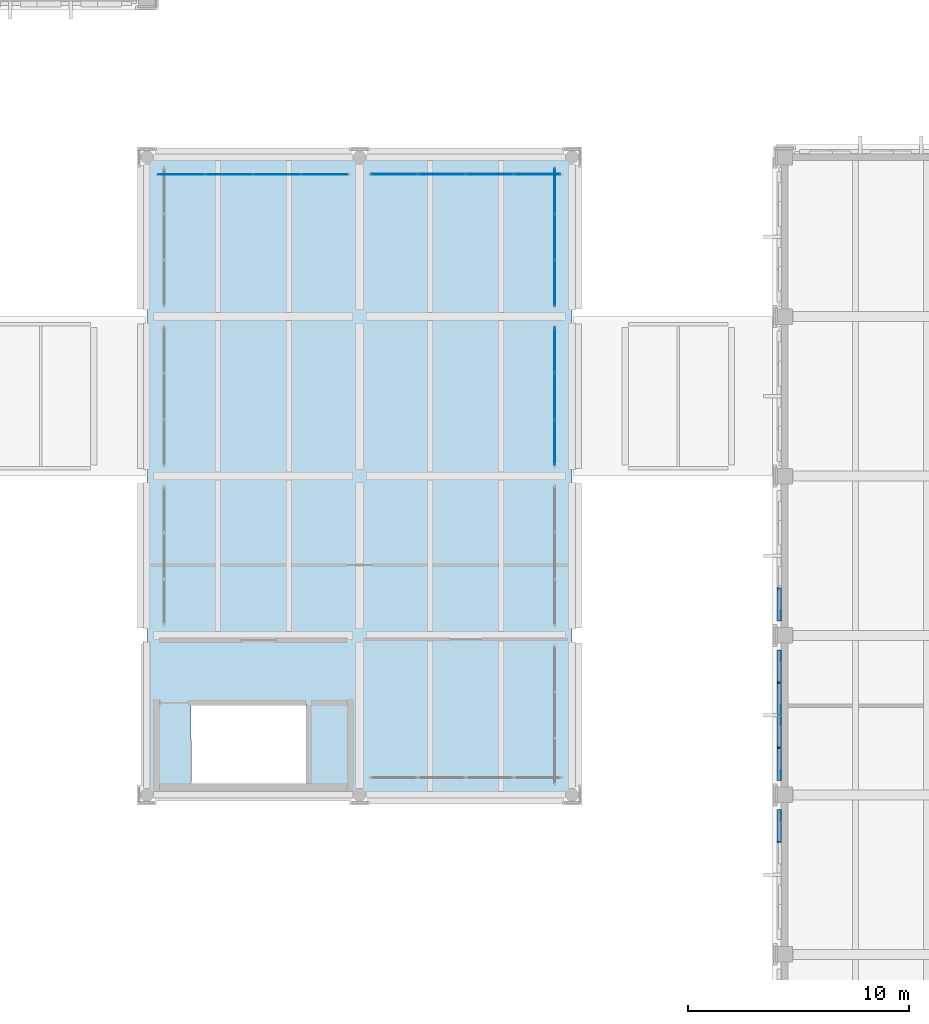
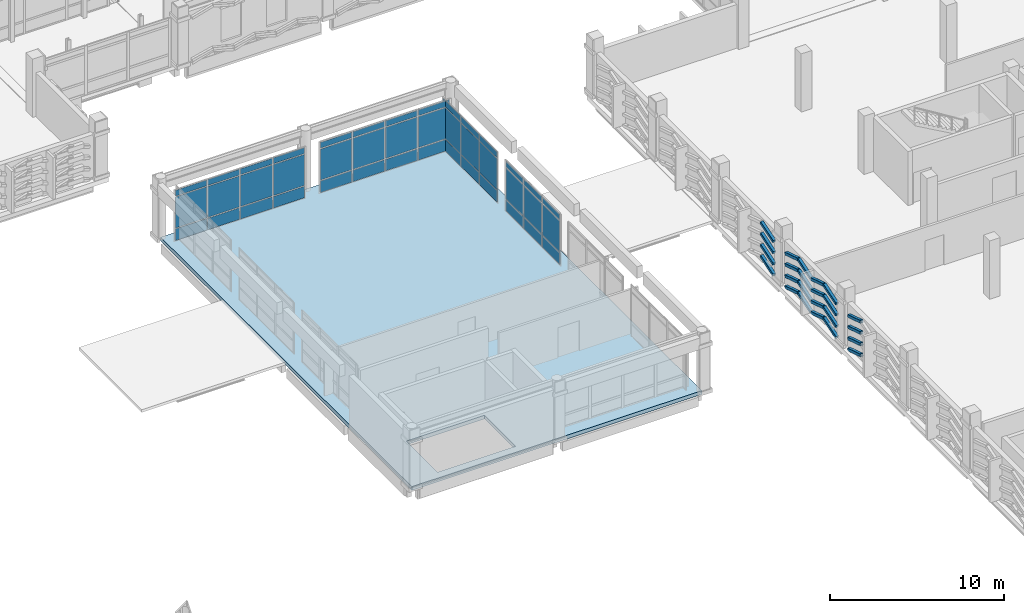
# One storey, part 127 of 180: 66 plates, 1 slab, 4 elements without a shape of their own.
"""IFC4 building model written with IfcOpenShell, lengths in metres."""

import ifcopenshell
import ifcopenshell.guid

model = None  # the IFC model being written
_history = None  # IfcOwnerHistory: only IFC2X3 demands one
_inside = {}  # id of a spatial element -> (the spatial element, [elements in it])
_under = {}  # id of a project, library or spatial element -> (it, [spatial elements below it])
_declared = {}  # id of a project -> (the project, [libraries it declares])
_typed = {}  # id of a type object -> (the type object, [elements of that type])
_made_of = {}  # id of a material, layer set ... -> (it, [elements and type objects made of it])


def new_model(schema):
    """Start an empty IFC model of exactly this schema.

    Asked for "IFC4X3", IfcOpenShell would pick the latest addendum, in which some entities
    have other attributes; the version numbers below select the first issue.
    IFC2X3 requires an IfcOwnerHistory on every rooted entity: one is made here for all.
    """
    global model, _history
    if schema == "IFC4X3":
        model = ifcopenshell.file(schema_version=(4, 3, 0, 0))
    else:
        model = ifcopenshell.file(schema=schema)
    _inside.clear()
    _under.clear()
    _declared.clear()
    _typed.clear()
    _made_of.clear()
    _history = None
    if model.schema == "IFC2X3":
        org = make("IfcOrganization", Name="unknown")
        user = make(
            "IfcPersonAndOrganization",
            ThePerson=make("IfcPerson", FamilyName="unknown"),
            TheOrganization=org,
        )
        app = make(
            "IfcApplication",
            ApplicationDeveloper=org,
            Version="unknown",
            ApplicationFullName="unknown",
            ApplicationIdentifier="unknown",
        )
        _history = make(
            "IfcOwnerHistory",
            OwningUser=user,
            OwningApplication=app,
            ChangeAction="ADDED",
            CreationDate=0,
        )
    return model


def make(cls, **values):
    """One entity of the class cls with the attributes given. An attribute that is None is left unset."""
    return model.create_entity(
        cls, **{name: value for name, value in values.items() if value is not None}
    )


def rooted(cls, **values):
    """An entity with a GlobalId (a new one), such as an element, a storey or a relation."""
    return make(cls, GlobalId=ifcopenshell.guid.new(), OwnerHistory=_history, **values)


def si_unit(unit_type, name, prefix=None):
    """IfcSIUnit, for example si_unit("LENGTHUNIT", "METRE", prefix="MILLI")."""
    return make("IfcSIUnit", UnitType=unit_type, Prefix=prefix, Name=name)


def assignment(units):
    """IfcUnitAssignment: the units of a project."""
    return None if units is None else make("IfcUnitAssignment", Units=units)


def point(xyz):
    """IfcCartesianPoint."""
    return None if xyz is None else make("IfcCartesianPoint", Coordinates=xyz)


def direction(xyz):
    """IfcDirection."""
    return None if xyz is None else make("IfcDirection", DirectionRatios=xyz)


def frame(location, z_axis=None, x_axis=None):
    """IfcAxis2Placement3D, a coordinate frame: its origin and axes. An axis left out is left unset."""
    return make(
        "IfcAxis2Placement3D",
        Location=point(location),
        Axis=direction(z_axis),
        RefDirection=direction(x_axis),
    )


def frame_2d(location, x_axis=None):
    """IfcAxis2Placement2D, a coordinate frame in the plane: its origin and x axis."""
    return make(
        "IfcAxis2Placement2D", Location=point(location), RefDirection=direction(x_axis)
    )


def origin():
    """The frame at (0, 0, 0) with its axes left unset."""
    return frame((0.0, 0.0, 0.0))


def origin_2d():
    """The frame at (0, 0) in the plane with its x axis left unset."""
    return frame_2d((0.0, 0.0))


def place(relative_to, where):
    """IfcLocalPlacement: puts the frame where relative to a parent placement (None: the world)."""
    return make(
        "IfcLocalPlacement", PlacementRelTo=relative_to, RelativePlacement=where
    )


def context(
    kind, dimensions, precision=None, world=None, true_north=None, identifier=None
):
    """IfcGeometricRepresentationContext, for example the 3D "Model" context."""
    return make(
        "IfcGeometricRepresentationContext",
        ContextIdentifier=identifier,
        ContextType=kind,
        CoordinateSpaceDimension=dimensions,
        Precision=precision,
        WorldCoordinateSystem=world,
        TrueNorth=true_north,
    )


def subcontext(parent, identifier, kind, view, scale=None):
    """IfcGeometricRepresentationSubContext, for example "Body" below "Model"."""
    return make(
        "IfcGeometricRepresentationSubContext",
        ContextIdentifier=identifier,
        ContextType=kind,
        ParentContext=parent,
        TargetScale=scale,
        TargetView=view,
    )


def project(units=None, contexts=None):
    """IfcProject with its units and contexts."""
    return rooted(
        "IfcProject",
        Name="project",
        RepresentationContexts=contexts,
        UnitsInContext=assignment(units),
    )


def spatial(cls, under=None, at=None, **own):
    """A site, building, storey or space (cls), placed at a placement, below another one or the project."""
    s = rooted(cls, ObjectPlacement=at, **own)
    if under is not None:
        _under.setdefault(under.id(), (under, []))[1].append(s)
    return s


def polyline(points):
    """IfcPolyline through the points."""
    return make("IfcPolyline", Points=[point(p) for p in points])


def profile(cls, at=None, kind="AREA", **sizes):
    """A parametric profile (cls). Its sizes go by their IFC names, for example OverallWidth=200.0."""
    return make(cls, ProfileType=kind, Position=at, **sizes)


def rectangle(**sizes):
    """IfcRectangleProfileDef."""
    return profile("IfcRectangleProfileDef", **sizes)


def hollow_rectangle(**sizes):
    """IfcRectangleHollowProfileDef."""
    return profile("IfcRectangleHollowProfileDef", **sizes)


def outline(outer, holes=None, kind="AREA"):
    """IfcArbitraryClosedProfileDef: a profile drawn as a closed curve; with holes, ...WithVoids."""
    if holes is None:
        return make("IfcArbitraryClosedProfileDef", ProfileType=kind, OuterCurve=outer)
    return make(
        "IfcArbitraryProfileDefWithVoids",
        ProfileType=kind,
        OuterCurve=outer,
        InnerCurves=holes,
    )


def extrude(swept, where, along, depth):
    """IfcExtrudedAreaSolid: the profile swept, set in the frame where, extruded along a direction by depth."""
    return make(
        "IfcExtrudedAreaSolid",
        SweptArea=swept,
        Position=where,
        ExtrudedDirection=direction(along),
        Depth=depth,
    )


def shape(context_of_items, identifier, shape_type, items):
    """IfcShapeRepresentation: the items that make up one representation, for example the "Body"."""
    return make(
        "IfcShapeRepresentation",
        ContextOfItems=context_of_items,
        RepresentationIdentifier=identifier,
        RepresentationType=shape_type,
        Items=items,
    )


def material(Name=None, Category=None):
    """IfcMaterial."""
    return make("IfcMaterial", Name=Name, Category=Category)


def layer(
    of_material, thickness, ventilated=None, Name=None, Category=None, Priority=None
):
    """IfcMaterialLayer: one layer of a wall or slab, of a material (None: an air gap)."""
    return make(
        "IfcMaterialLayer",
        Material=of_material,
        LayerThickness=thickness,
        IsVentilated=ventilated,
        Name=Name,
        Category=Category,
        Priority=Priority,
    )


def layer_set(layers, Name=None):
    """IfcMaterialLayerSet."""
    return make("IfcMaterialLayerSet", MaterialLayers=layers, LayerSetName=Name)


def material_profile(
    of_material, cross_section, Name=None, Category=None, Priority=None
):
    """IfcMaterialProfile: a cross section and its material."""
    return make(
        "IfcMaterialProfile",
        Name=Name,
        Material=of_material,
        Profile=cross_section,
        Priority=Priority,
        Category=Category,
    )


def profile_set(profiles, Name=None, composite=None):
    """IfcMaterialProfileSet."""
    return make(
        "IfcMaterialProfileSet",
        Name=Name,
        MaterialProfiles=profiles,
        CompositeProfile=composite,
    )


def made_of(thing, what):
    """Note that an element or type object is made of a material, layer set ...; save() writes the relation."""
    if what is not None:
        _made_of.setdefault(what.id(), (what, []))[1].append(thing)
    return thing


def type_object(cls, material=None, **own):
    """A type object (cls), such as IfcWallType, which elements share."""
    return made_of(rooted(cls, **own), material)


def element(
    cls,
    number,
    at=None,
    inside=None,
    cuts=None,
    type_object=None,
    material=None,
    context=None,
    identifier="Body",
    shape_type=None,
    held_by="IfcProductDefinitionShape",
    body=None,
    shapes=None,
    **own,
):
    """One element of the class cls, such as IfcWall. Its Tag is "e" and its number.

    at: its placement. inside: the storey or other place that contains it. cuts: it is an
    opening in that element (IfcRelVoidsElement). A single representation is given by context,
    identifier, shape_type and body (its items); several are given by shapes. held_by: the class
    of the entity that holds the representations. save() writes the other relations.
    """
    e = rooted(cls, Tag="e%d" % number, ObjectPlacement=at, **own)
    if body is not None:
        shapes = [shape(context, identifier, shape_type, body)]
    if shapes is not None:
        e.Representation = make(held_by, Representations=shapes)
    if inside is not None:
        _inside.setdefault(inside.id(), (inside, []))[1].append(e)
    if cuts is not None:
        rooted(
            "IfcRelVoidsElement", RelatingBuildingElement=cuts, RelatedOpeningElement=e
        )
    if type_object is not None:
        _typed.setdefault(type_object.id(), (type_object, []))[1].append(e)
    return made_of(e, material)


def aggregate(whole, parts):
    """IfcRelAggregates: a whole, such as a stair, and the parts it consists of."""
    return rooted("IfcRelAggregates", RelatingObject=whole, RelatedObjects=parts)


def save(model, path):
    """Write the relations noted so far, then the file.

    IfcRelAggregates (storeys below a building ...), IfcRelContainedInSpatialStructure (elements
    in a storey), IfcRelDefinesByType, IfcRelAssociatesMaterial and IfcRelDeclares: one each for
    every whole, place, type object, material and project.
    """
    for whole, parts in _under.values():
        aggregate(whole, parts)
    for where, things in _inside.values():
        rooted(
            "IfcRelContainedInSpatialStructure",
            RelatedElements=things,
            RelatingStructure=where,
        )
    for kind, things in _typed.values():
        rooted("IfcRelDefinesByType", RelatedObjects=things, RelatingType=kind)
    for what, things in _made_of.values():
        rooted("IfcRelAssociatesMaterial", RelatedObjects=things, RelatingMaterial=what)
    for by, libraries in _declared.values():
        rooted("IfcRelDeclares", RelatingContext=by, RelatedDefinitions=libraries)
    model.write(path)


model = new_model("IFC4")

# Units and contexts
model_context = context("Model", 3, precision=1e-05, world=origin(), true_north=direction((0.0, 1.0)))
body_context = subcontext(model_context, "Body", "Model", "MODEL_VIEW")
ifc_project = project(units=[si_unit("LENGTHUNIT", "METRE"), si_unit("AREAUNIT", "SQUARE_METRE"), si_unit("VOLUMEUNIT", "CUBIC_METRE"), si_unit("PLANEANGLEUNIT", "RADIAN"), si_unit("MASSUNIT", "GRAM", prefix="KILO")], contexts=[model_context])

# Site, building, storey
site_placement = place(None, origin())
site = spatial("IfcSite", under=ifc_project, at=site_placement, CompositionType="ELEMENT")
building_placement = place(site_placement, origin())
building = spatial("IfcBuilding", under=site, at=building_placement, Name="Asteropetra Specialist Clinic", CompositionType="ELEMENT")
storey_placement = place(building_placement, frame((0.0, 0.0, 4.419921875)))
storey = spatial("IfcBuildingStorey", under=building, at=storey_placement, Name="L01", CompositionType="ELEMENT", Elevation=4.419921875)

# Plates
ifc_material_1 = material(Name="Chevron emerald aluminium 6063-T6", Category="aluminium")
ifc_material_profile = material_profile(ifc_material_1, hollow_rectangle(XDim=0.199951171875, YDim=0.199951171875, WallThickness=0.010009765625, InnerFilletRadius=0.008056640625, OuterFilletRadius=0.01611328125, at=origin_2d()), Name="SHS 200x200x10.0")
ifc_profile_set = profile_set([ifc_material_profile], Name="Chevron emerald aluminium 6063-T6")
plate_type_1 = type_object("IfcPlateType", Name="CHV-RIB-200", PredefinedType="SHEET", material=ifc_profile_set)
for number, where, z_axis, x_axis, name in (
    (1, (105.3505859375, 32.909912109375, 0.050048828125), (0.0, -0.952506339897, 0.304518755506), (1.0, 0.0, 0.0), "Chevron Facade Screen Fin CVR-2304"),
    (2, (105.3505859375, 32.909912109375, 0.820068359375), (0.0, -0.952506339897, 0.304518755506), (1.0, 0.0, 0.0), "Chevron Facade Screen Fin CVR-2306"),
    (3, (105.3505859375, 32.909912109375, 1.6201171875), (0.0, -0.952506339897, 0.304518755506), (1.0, 0.0, 0.0), "Chevron Facade Screen Fin CVR-2308"),
    (4, (105.3505859375, 32.909912109375, 2.400146484375), (0.0, -0.952506339897, 0.304518755506), (1.0, 0.0, 0.0), "Chevron Facade Screen Fin CVR-2310"),
):
    element("IfcPlate", number, at=place(storey_placement, frame(where, z_axis=z_axis, x_axis=x_axis)), inside=storey, type_object=plate_type_1, Name=name, PredefinedType="SHEET", context=body_context, shape_type="SweptSolid", body=[
        extrude(hollow_rectangle(XDim=0.199951171875, YDim=0.199951171875, WallThickness=0.010009765625, InnerFilletRadius=0.008056640625, OuterFilletRadius=0.01611328125, at=origin_2d()), origin(), (0.0, 0.0, 1.0), 1.516845703125),
    ])
for number, where, z_axis, x_axis, name in (
    (5, (105.3505859375, 40.110107421875, 0.050048828125), (0.0, -0.952521261695, 0.304472077568), (1.0, 0.0, 0.0), "Chevron Facade Screen Fin CVR-2336"),
    (6, (105.3505859375, 38.6650390625, 0.511962890625), (0.0, -0.952521261695, -0.304472077568), (1.0, 0.0, 0.0), "Chevron Facade Screen Fin CVR-2337"),
    (7, (105.3505859375, 40.110107421875, 0.820068359375), (0.0, -0.952521261695, 0.304472077568), (1.0, 0.0, 0.0), "Chevron Facade Screen Fin CVR-2338"),
    (8, (105.3505859375, 38.6650390625, 1.281982421875), (0.0, -0.952521261695, -0.304472077568), (1.0, 0.0, 0.0), "Chevron Facade Screen Fin CVR-2339"),
    (9, (105.3505859375, 40.110107421875, 1.6201171875), (0.0, -0.952521261695, 0.304472077568), (1.0, 0.0, 0.0), "Chevron Facade Screen Fin CVR-2340"),
    (10, (105.3505859375, 38.6650390625, 2.08203125), (0.0, -0.952521261695, -0.304472077568), (1.0, 0.0, 0.0), "Chevron Facade Screen Fin CVR-2341"),
    (11, (105.3505859375, 40.110107421875, 2.400146484375), (0.0, -0.952521261695, 0.304472077568), (1.0, 0.0, 0.0), "Chevron Facade Screen Fin CVR-2342"),
    (12, (105.3505859375, 38.6650390625, 2.862060546875), (0.0, -0.952521261695, -0.304472077568), (1.0, 0.0, 0.0), "Chevron Facade Screen Fin CVR-2343"),
):
    element("IfcPlate", number, at=place(storey_placement, frame(where, z_axis=z_axis, x_axis=x_axis)), inside=storey, type_object=plate_type_1, Name=name, PredefinedType="SHEET", context=body_context, shape_type="SweptSolid", body=[
        extrude(hollow_rectangle(XDim=0.199951171875, YDim=0.199951171875, WallThickness=0.010009765625, InnerFilletRadius=0.008056640625, OuterFilletRadius=0.01611328125, at=origin_2d()), origin(), (0.0, 0.0, 1.0), 1.51708984375),
    ])
plate_1_placement = place(storey_placement, frame((105.3505859375, 37.179931640625, 0.050048828125), z_axis=(0.0, -0.952506339897, 0.304518755506), x_axis=(1.0, 0.0, 0.0)))
element("IfcPlate", 13, at=plate_1_placement, inside=storey, type_object=plate_type_1, Name="Chevron Facade Screen Fin CVR-2344", PredefinedType="SHEET", context=body_context, shape_type="SweptSolid", body=[
    extrude(hollow_rectangle(XDim=0.199951171875, YDim=0.199951171875, WallThickness=0.010009765625, InnerFilletRadius=0.008056640625, OuterFilletRadius=0.01611328125, at=origin_2d()), origin(), (0.0, 0.0, 1.0), 1.516845703125),
])
plate_2_placement = place(storey_placement, frame((105.3505859375, 35.735107421875, 0.511962890625), z_axis=(0.0, -0.952521261695, -0.304472077568), x_axis=(1.0, 0.0, 0.0)))
element("IfcPlate", 14, at=plate_2_placement, inside=storey, type_object=plate_type_1, Name="Chevron Facade Screen Fin CVR-2345", PredefinedType="SHEET", context=body_context, shape_type="SweptSolid", body=[
    extrude(hollow_rectangle(XDim=0.199951171875, YDim=0.199951171875, WallThickness=0.010009765625, InnerFilletRadius=0.008056640625, OuterFilletRadius=0.01611328125, at=origin_2d()), origin(), (0.0, 0.0, 1.0), 1.51708984375),
])
plate_3_placement = place(storey_placement, frame((105.3505859375, 37.179931640625, 0.820068359375), z_axis=(0.0, -0.952506339897, 0.304518755506), x_axis=(1.0, 0.0, 0.0)))
element("IfcPlate", 15, at=plate_3_placement, inside=storey, type_object=plate_type_1, Name="Chevron Facade Screen Fin CVR-2346", PredefinedType="SHEET", context=body_context, shape_type="SweptSolid", body=[
    extrude(hollow_rectangle(XDim=0.199951171875, YDim=0.199951171875, WallThickness=0.010009765625, InnerFilletRadius=0.008056640625, OuterFilletRadius=0.01611328125, at=origin_2d()), origin(), (0.0, 0.0, 1.0), 1.516845703125),
])
plate_4_placement = place(storey_placement, frame((105.3505859375, 35.735107421875, 1.281982421875), z_axis=(0.0, -0.952521261695, -0.304472077568), x_axis=(1.0, 0.0, 0.0)))
element("IfcPlate", 16, at=plate_4_placement, inside=storey, type_object=plate_type_1, Name="Chevron Facade Screen Fin CVR-2347", PredefinedType="SHEET", context=body_context, shape_type="SweptSolid", body=[
    extrude(hollow_rectangle(XDim=0.199951171875, YDim=0.199951171875, WallThickness=0.010009765625, InnerFilletRadius=0.008056640625, OuterFilletRadius=0.01611328125, at=origin_2d()), origin(), (0.0, 0.0, 1.0), 1.51708984375),
])
plate_5_placement = place(storey_placement, frame((105.3505859375, 37.179931640625, 1.6201171875), z_axis=(0.0, -0.952506339897, 0.304518755506), x_axis=(1.0, 0.0, 0.0)))
element("IfcPlate", 17, at=plate_5_placement, inside=storey, type_object=plate_type_1, Name="Chevron Facade Screen Fin CVR-2348", PredefinedType="SHEET", context=body_context, shape_type="SweptSolid", body=[
    extrude(hollow_rectangle(XDim=0.199951171875, YDim=0.199951171875, WallThickness=0.010009765625, InnerFilletRadius=0.008056640625, OuterFilletRadius=0.01611328125, at=origin_2d()), origin(), (0.0, 0.0, 1.0), 1.516845703125),
])
plate_6_placement = place(storey_placement, frame((105.3505859375, 35.735107421875, 2.08203125), z_axis=(0.0, -0.952521261695, -0.304472077568), x_axis=(1.0, 0.0, 0.0)))
element("IfcPlate", 18, at=plate_6_placement, inside=storey, type_object=plate_type_1, Name="Chevron Facade Screen Fin CVR-2349", PredefinedType="SHEET", context=body_context, shape_type="SweptSolid", body=[
    extrude(hollow_rectangle(XDim=0.199951171875, YDim=0.199951171875, WallThickness=0.010009765625, InnerFilletRadius=0.008056640625, OuterFilletRadius=0.01611328125, at=origin_2d()), origin(), (0.0, 0.0, 1.0), 1.51708984375),
])
plate_7_placement = place(storey_placement, frame((105.3505859375, 37.179931640625, 2.400146484375), z_axis=(0.0, -0.952506339897, 0.304518755506), x_axis=(1.0, 0.0, 0.0)))
element("IfcPlate", 19, at=plate_7_placement, inside=storey, type_object=plate_type_1, Name="Chevron Facade Screen Fin CVR-2350", PredefinedType="SHEET", context=body_context, shape_type="SweptSolid", body=[
    extrude(hollow_rectangle(XDim=0.199951171875, YDim=0.199951171875, WallThickness=0.010009765625, InnerFilletRadius=0.008056640625, OuterFilletRadius=0.01611328125, at=origin_2d()), origin(), (0.0, 0.0, 1.0), 1.516845703125),
])
for number, where, z_axis, x_axis, name in (
    (20, (105.3505859375, 35.735107421875, 2.862060546875), (0.0, -0.952521261695, -0.304472077568), (1.0, 0.0, 0.0), "Chevron Facade Screen Fin CVR-2351"),
    (21, (105.3505859375, 42.93505859375, 0.511962890625), (0.0, -0.952521261695, -0.304472077568), (1.0, 0.0, 0.0), "Chevron Facade Screen Fin CVR-2377"),
    (22, (105.3505859375, 42.93505859375, 1.281982421875), (0.0, -0.952521261695, -0.304472077568), (1.0, 0.0, 0.0), "Chevron Facade Screen Fin CVR-2379"),
    (23, (105.3505859375, 42.93505859375, 2.08203125), (0.0, -0.952521261695, -0.304472077568), (1.0, 0.0, 0.0), "Chevron Facade Screen Fin CVR-2381"),
    (24, (105.3505859375, 42.93505859375, 2.862060546875), (0.0, -0.952521261695, -0.304472077568), (1.0, 0.0, 0.0), "Chevron Facade Screen Fin CVR-2383"),
):
    element("IfcPlate", number, at=place(storey_placement, frame(where, z_axis=z_axis, x_axis=x_axis)), inside=storey, type_object=plate_type_1, Name=name, PredefinedType="SHEET", context=body_context, shape_type="SweptSolid", body=[
        extrude(hollow_rectangle(XDim=0.199951171875, YDim=0.199951171875, WallThickness=0.010009765625, InnerFilletRadius=0.008056640625, OuterFilletRadius=0.01611328125, at=origin_2d()), origin(), (0.0, 0.0, 1.0), 1.51708984375),
    ])

# Curtain wall, plates
ifc_material_2 = material(Name="Aluminium and low-E glass", Category="aluminium")
ifc_layer_1 = layer(ifc_material_2, 0.179931640625)
ifc_layer_set_1 = layer_set([ifc_layer_1], Name="Aluminium and low-E glass")
curtain_wall_type_1 = type_object("IfcCurtainWallType", Name="CW-SYS-10", PredefinedType="USERDEFINED", material=ifc_layer_set_1)
curtain_wall_1_placement = place(storey_placement, origin())
curtain_wall_1 = element("IfcCurtainWall", 25, at=curtain_wall_1_placement, inside=storey, type_object=curtain_wall_type_1, Name="Curtain Wall CW-180", ObjectType="STICK GLAZED COLONNADE", PredefinedType="USERDEFINED")
ifc_material_3 = material(Name="Low-E double glazing", Category="glass")
ifc_layer_2 = layer(ifc_material_3, 0.028076171875)
ifc_layer_set_2 = layer_set([ifc_layer_2], Name="Low-E double glazing")
plate_type_2 = type_object("IfcPlateType", Name="CWP-GLZ-28", PredefinedType="CURTAIN_PANEL", material=ifc_layer_set_2)
plate_8_placement = place(storey_placement, frame((95.219970703125, 49.511962890625, 0.074951171875), z_axis=(0.0, 0.0, 1.0), x_axis=(0.0, 1.0, 0.0)))
plate_8 = element("IfcPlate", 26, at=plate_8_placement, type_object=plate_type_2, Name="CW-180 panel 1.1", PredefinedType="CURTAIN_PANEL", context=body_context, shape_type="SweptSolid", body=[
    extrude(rectangle(XDim=1.994140625, YDim=0.028076171875, at=origin_2d()), origin(), (0.0, 0.0, 1.0), 0.78759765625),
])
plate_9_placement = place(storey_placement, frame((95.219970703125, 49.511962890625, 0.9375), z_axis=(0.0, 0.0, 1.0), x_axis=(0.0, 1.0, 0.0)))
plate_9 = element("IfcPlate", 27, at=plate_9_placement, type_object=plate_type_2, Name="CW-180 panel 1.2", PredefinedType="CURTAIN_PANEL", context=body_context, shape_type="SweptSolid", body=[
    extrude(rectangle(XDim=1.994140625, YDim=0.028076171875, at=origin_2d()), origin(), (0.0, 0.0, 1.0), 2.155029296875),
])
plate_10_placement = place(storey_placement, frame((95.219970703125, 49.511962890625, 3.16748046875), z_axis=(0.0, 0.0, 1.0), x_axis=(0.0, 1.0, 0.0)))
plate_10 = element("IfcPlate", 28, at=plate_10_placement, type_object=plate_type_2, Name="CW-180 panel 1.3", PredefinedType="CURTAIN_PANEL", context=body_context, shape_type="SweptSolid", body=[
    extrude(rectangle(XDim=1.994140625, YDim=0.028076171875, at=origin_2d()), origin(), (0.0, 0.0, 1.0), 0.387451171875),
])
plate_11_placement = place(storey_placement, frame((95.219970703125, 51.60009765625, 0.074951171875), z_axis=(0.0, 0.0, 1.0), x_axis=(0.0, 1.0, 0.0)))
plate_11 = element("IfcPlate", 29, at=plate_11_placement, type_object=plate_type_2, Name="CW-180 panel 2.1", PredefinedType="CURTAIN_PANEL", context=body_context, shape_type="SweptSolid", body=[
    extrude(rectangle(XDim=2.03173828125, YDim=0.028076171875, at=origin_2d()), origin(), (0.0, 0.0, 1.0), 0.78759765625),
])
plate_12_placement = place(storey_placement, frame((95.219970703125, 51.60009765625, 0.9375), z_axis=(0.0, 0.0, 1.0), x_axis=(0.0, 1.0, 0.0)))
plate_12 = element("IfcPlate", 30, at=plate_12_placement, type_object=plate_type_2, Name="CW-180 panel 2.2", PredefinedType="CURTAIN_PANEL", context=body_context, shape_type="SweptSolid", body=[
    extrude(rectangle(XDim=2.03173828125, YDim=0.028076171875, at=origin_2d()), origin(), (0.0, 0.0, 1.0), 2.155029296875),
])
plate_13_placement = place(storey_placement, frame((95.219970703125, 51.60009765625, 3.16748046875), z_axis=(0.0, 0.0, 1.0), x_axis=(0.0, 1.0, 0.0)))
plate_13 = element("IfcPlate", 31, at=plate_13_placement, type_object=plate_type_2, Name="CW-180 panel 2.3", PredefinedType="CURTAIN_PANEL", context=body_context, shape_type="SweptSolid", body=[
    extrude(rectangle(XDim=2.03173828125, YDim=0.028076171875, at=origin_2d()), origin(), (0.0, 0.0, 1.0), 0.387451171875),
])
plate_14_placement = place(storey_placement, frame((95.219970703125, 53.68798828125, 0.074951171875), z_axis=(0.0, 0.0, 1.0), x_axis=(0.0, 1.0, 0.0)))
plate_14 = element("IfcPlate", 32, at=plate_14_placement, type_object=plate_type_2, Name="CW-180 panel 3.1", PredefinedType="CURTAIN_PANEL", context=body_context, shape_type="SweptSolid", body=[
    extrude(rectangle(XDim=1.994140625, YDim=0.028076171875, at=origin_2d()), origin(), (0.0, 0.0, 1.0), 0.78759765625),
])
plate_15_placement = place(storey_placement, frame((95.219970703125, 53.68798828125, 0.9375), z_axis=(0.0, 0.0, 1.0), x_axis=(0.0, 1.0, 0.0)))
plate_15 = element("IfcPlate", 33, at=plate_15_placement, type_object=plate_type_2, Name="CW-180 panel 3.2", PredefinedType="CURTAIN_PANEL", context=body_context, shape_type="SweptSolid", body=[
    extrude(rectangle(XDim=1.994140625, YDim=0.028076171875, at=origin_2d()), origin(), (0.0, 0.0, 1.0), 2.155029296875),
])
plate_16_placement = place(storey_placement, frame((95.219970703125, 53.68798828125, 3.16748046875), z_axis=(0.0, 0.0, 1.0), x_axis=(0.0, 1.0, 0.0)))
plate_16 = element("IfcPlate", 34, at=plate_16_placement, type_object=plate_type_2, Name="CW-180 panel 3.3", PredefinedType="CURTAIN_PANEL", context=body_context, shape_type="SweptSolid", body=[
    extrude(rectangle(XDim=1.994140625, YDim=0.028076171875, at=origin_2d()), origin(), (0.0, 0.0, 1.0), 0.387451171875),
])
aggregate(curtain_wall_1, [plate_8, plate_9, plate_10, plate_11, plate_12, plate_13, plate_14, plate_15, plate_16])

ifc_material_4 = material(Name="Aluminium and low-E glass", Category="aluminium")
ifc_layer_3 = layer(ifc_material_4, 0.135009765625)
ifc_layer_set_3 = layer_set([ifc_layer_3], Name="Aluminium and low-E glass")
curtain_wall_type_2 = type_object("IfcCurtainWallType", Name="CW-SYS-09", PredefinedType="USERDEFINED", material=ifc_layer_set_3)
curtain_wall_2_placement = place(storey_placement, origin())
curtain_wall_2 = element("IfcCurtainWall", 35, at=curtain_wall_2_placement, inside=storey, type_object=curtain_wall_type_2, Name="Curtain Wall CW-173", ObjectType="STICK GLAZED COLONNADE", PredefinedType="USERDEFINED")
ifc_material_5 = material(Name="Low-E acoustic double glazing", Category="glass")
ifc_layer_4 = layer(ifc_material_5, 0.031982421875)
ifc_layer_set_4 = layer_set([ifc_layer_4], Name="Low-E acoustic double glazing")
plate_type_3 = type_object("IfcPlateType", Name="CWP-GLZ-32", PredefinedType="CURTAIN_PANEL", material=ifc_layer_set_4)
plate_17_placement = place(storey_placement, frame((84.840087890625, 61.6201171875, 0.06005859375), z_axis=(0.0, 0.0, 1.0), x_axis=(-1.0, 0.0, 0.0)))
plate_17 = element("IfcPlate", 36, at=plate_17_placement, type_object=plate_type_3, Name="CW-173 panel 1.1", PredefinedType="CURTAIN_PANEL", context=body_context, shape_type="SweptSolid", body=[
    extrude(rectangle(XDim=2.080078125, YDim=0.031982421875, at=origin_2d()), origin(), (0.0, 0.0, 1.0), 0.81005859375),
])
plate_18_placement = place(storey_placement, frame((84.840087890625, 61.6201171875, 0.93017578125), z_axis=(0.0, 0.0, 1.0), x_axis=(-1.0, 0.0, 0.0)))
plate_18 = element("IfcPlate", 37, at=plate_18_placement, type_object=plate_type_3, Name="CW-173 panel 1.2", PredefinedType="CURTAIN_PANEL", context=body_context, shape_type="SweptSolid", body=[
    extrude(rectangle(XDim=2.080078125, YDim=0.031982421875, at=origin_2d()), origin(), (0.0, 0.0, 1.0), 2.169921875),
])
plate_19_placement = place(storey_placement, frame((84.840087890625, 61.6201171875, 3.16015625), z_axis=(0.0, 0.0, 1.0), x_axis=(-1.0, 0.0, 0.0)))
plate_19 = element("IfcPlate", 38, at=plate_19_placement, type_object=plate_type_3, Name="CW-173 panel 1.3", PredefinedType="CURTAIN_PANEL", context=body_context, shape_type="SweptSolid", body=[
    extrude(rectangle(XDim=2.080078125, YDim=0.031982421875, at=origin_2d()), origin(), (0.0, 0.0, 1.0), 0.409912109375),
])
plate_20_placement = place(storey_placement, frame((82.68505859375, 61.6201171875, 0.06005859375), z_axis=(0.0, 0.0, 1.0), x_axis=(-1.0, 0.0, 0.0)))
plate_20 = element("IfcPlate", 39, at=plate_20_placement, type_object=plate_type_3, Name="CW-173 panel 2.1", PredefinedType="CURTAIN_PANEL", context=body_context, shape_type="SweptSolid", body=[
    extrude(rectangle(XDim=2.110107421875, YDim=0.031982421875, at=origin_2d()), origin(), (0.0, 0.0, 1.0), 0.81005859375),
])
plate_21_placement = place(storey_placement, frame((82.68505859375, 61.6201171875, 0.93017578125), z_axis=(0.0, 0.0, 1.0), x_axis=(-1.0, 0.0, 0.0)))
plate_21 = element("IfcPlate", 40, at=plate_21_placement, type_object=plate_type_3, Name="CW-173 panel 2.2", PredefinedType="CURTAIN_PANEL", context=body_context, shape_type="SweptSolid", body=[
    extrude(rectangle(XDim=2.110107421875, YDim=0.031982421875, at=origin_2d()), origin(), (0.0, 0.0, 1.0), 2.169921875),
])
plate_22_placement = place(storey_placement, frame((82.68505859375, 61.6201171875, 3.16015625), z_axis=(0.0, 0.0, 1.0), x_axis=(-1.0, 0.0, 0.0)))
plate_22 = element("IfcPlate", 41, at=plate_22_placement, type_object=plate_type_3, Name="CW-173 panel 2.3", PredefinedType="CURTAIN_PANEL", context=body_context, shape_type="SweptSolid", body=[
    extrude(rectangle(XDim=2.110107421875, YDim=0.031982421875, at=origin_2d()), origin(), (0.0, 0.0, 1.0), 0.409912109375),
])
plate_23_placement = place(storey_placement, frame((80.514892578125, 61.6201171875, 0.06005859375), z_axis=(0.0, 0.0, 1.0), x_axis=(-1.0, 0.0, 0.0)))
plate_23 = element("IfcPlate", 42, at=plate_23_placement, type_object=plate_type_3, Name="CW-173 panel 3.1", PredefinedType="CURTAIN_PANEL", context=body_context, shape_type="SweptSolid", body=[
    extrude(rectangle(XDim=2.110107421875, YDim=0.031982421875, at=origin_2d()), origin(), (0.0, 0.0, 1.0), 0.81005859375),
])
plate_24_placement = place(storey_placement, frame((80.514892578125, 61.6201171875, 0.93017578125), z_axis=(0.0, 0.0, 1.0), x_axis=(-1.0, 0.0, 0.0)))
plate_24 = element("IfcPlate", 43, at=plate_24_placement, type_object=plate_type_3, Name="CW-173 panel 3.2", PredefinedType="CURTAIN_PANEL", context=body_context, shape_type="SweptSolid", body=[
    extrude(rectangle(XDim=2.110107421875, YDim=0.031982421875, at=origin_2d()), origin(), (0.0, 0.0, 1.0), 2.169921875),
])
plate_25_placement = place(storey_placement, frame((80.514892578125, 61.6201171875, 3.16015625), z_axis=(0.0, 0.0, 1.0), x_axis=(-1.0, 0.0, 0.0)))
plate_25 = element("IfcPlate", 44, at=plate_25_placement, type_object=plate_type_3, Name="CW-173 panel 3.3", PredefinedType="CURTAIN_PANEL", context=body_context, shape_type="SweptSolid", body=[
    extrude(rectangle(XDim=2.110107421875, YDim=0.031982421875, at=origin_2d()), origin(), (0.0, 0.0, 1.0), 0.409912109375),
])
plate_26_placement = place(storey_placement, frame((78.360107421875, 61.6201171875, 0.06005859375), z_axis=(0.0, 0.0, 1.0), x_axis=(-1.0, 0.0, 0.0)))
plate_26 = element("IfcPlate", 45, at=plate_26_placement, type_object=plate_type_3, Name="CW-173 panel 4.1", PredefinedType="CURTAIN_PANEL", context=body_context, shape_type="SweptSolid", body=[
    extrude(rectangle(XDim=2.080078125, YDim=0.031982421875, at=origin_2d()), origin(), (0.0, 0.0, 1.0), 0.81005859375),
])
plate_27_placement = place(storey_placement, frame((78.360107421875, 61.6201171875, 0.93017578125), z_axis=(0.0, 0.0, 1.0), x_axis=(-1.0, 0.0, 0.0)))
plate_27 = element("IfcPlate", 46, at=plate_27_placement, type_object=plate_type_3, Name="CW-173 panel 4.2", PredefinedType="CURTAIN_PANEL", context=body_context, shape_type="SweptSolid", body=[
    extrude(rectangle(XDim=2.080078125, YDim=0.031982421875, at=origin_2d()), origin(), (0.0, 0.0, 1.0), 2.169921875),
])
plate_28_placement = place(storey_placement, frame((78.360107421875, 61.6201171875, 3.16015625), z_axis=(0.0, 0.0, 1.0), x_axis=(-1.0, 0.0, 0.0)))
plate_28 = element("IfcPlate", 47, at=plate_28_placement, type_object=plate_type_3, Name="CW-173 panel 4.3", PredefinedType="CURTAIN_PANEL", context=body_context, shape_type="SweptSolid", body=[
    extrude(rectangle(XDim=2.080078125, YDim=0.031982421875, at=origin_2d()), origin(), (0.0, 0.0, 1.0), 0.409912109375),
])
aggregate(curtain_wall_2, [plate_17, plate_18, plate_19, plate_20, plate_21, plate_22, plate_23, plate_24, plate_25, plate_26, plate_27, plate_28])

ifc_material_6 = material(Name="Aluminium and low-E glass", Category="aluminium")
ifc_layer_5 = layer(ifc_material_6, 0.179931640625)
ifc_layer_set_5 = layer_set([ifc_layer_5], Name="Aluminium and low-E glass")
curtain_wall_type_3 = type_object("IfcCurtainWallType", Name="CW-SYS-01", PredefinedType="USERDEFINED", material=ifc_layer_set_5)
curtain_wall_3_placement = place(storey_placement, origin())
curtain_wall_3 = element("IfcCurtainWall", 48, at=curtain_wall_3_placement, inside=storey, type_object=curtain_wall_type_3, Name="Curtain Wall CW-182", ObjectType="UNITISED CURTAIN WALL", PredefinedType="USERDEFINED")
ifc_material_7 = material(Name="Solar-control triple glazing", Category="glass")
ifc_layer_6 = layer(ifc_material_7, 0.035888671875)
ifc_layer_set_6 = layer_set([ifc_layer_6], Name="Solar-control triple glazing")
plate_type_4 = type_object("IfcPlateType", Name="CWP-GLZ-36", PredefinedType="CURTAIN_PANEL", material=ifc_layer_set_6)
plate_29_placement = place(storey_placement, frame((95.219970703125, 56.705078125, 0.06005859375), z_axis=(0.0, 0.0, 1.0), x_axis=(0.0, 1.0, 0.0)))
plate_29 = element("IfcPlate", 49, at=plate_29_placement, type_object=plate_type_4, Name="CW-182 panel 1.1", PredefinedType="CURTAIN_PANEL", context=body_context, shape_type="SweptSolid", body=[
    extrude(rectangle(XDim=2.010009765625, YDim=0.035888671875, at=origin_2d()), origin(), (0.0, 0.0, 1.0), 0.81005859375),
])
plate_30_placement = place(storey_placement, frame((95.219970703125, 56.705078125, 0.93017578125), z_axis=(0.0, 0.0, 1.0), x_axis=(0.0, 1.0, 0.0)))
plate_30 = element("IfcPlate", 50, at=plate_30_placement, type_object=plate_type_4, Name="CW-182 panel 1.2", PredefinedType="CURTAIN_PANEL", context=body_context, shape_type="SweptSolid", body=[
    extrude(rectangle(XDim=2.010009765625, YDim=0.035888671875, at=origin_2d()), origin(), (0.0, 0.0, 1.0), 2.169921875),
])
plate_31_placement = place(storey_placement, frame((95.219970703125, 56.705078125, 3.16015625), z_axis=(0.0, 0.0, 1.0), x_axis=(0.0, 1.0, 0.0)))
plate_31 = element("IfcPlate", 51, at=plate_31_placement, type_object=plate_type_4, Name="CW-182 panel 1.3", PredefinedType="CURTAIN_PANEL", context=body_context, shape_type="SweptSolid", body=[
    extrude(rectangle(XDim=2.010009765625, YDim=0.035888671875, at=origin_2d()), origin(), (0.0, 0.0, 1.0), 0.409912109375),
])
plate_32_placement = place(storey_placement, frame((95.219970703125, 58.7900390625, 0.06005859375), z_axis=(0.0, 0.0, 1.0), x_axis=(0.0, 1.0, 0.0)))
plate_32 = element("IfcPlate", 52, at=plate_32_placement, type_object=plate_type_4, Name="CW-182 panel 2.1", PredefinedType="CURTAIN_PANEL", context=body_context, shape_type="SweptSolid", body=[
    extrude(rectangle(XDim=2.0400390625, YDim=0.035888671875, at=origin_2d()), origin(), (0.0, 0.0, 1.0), 0.81005859375),
])
plate_33_placement = place(storey_placement, frame((95.219970703125, 58.7900390625, 0.93017578125), z_axis=(0.0, 0.0, 1.0), x_axis=(0.0, 1.0, 0.0)))
plate_33 = element("IfcPlate", 53, at=plate_33_placement, type_object=plate_type_4, Name="CW-182 panel 2.2", PredefinedType="CURTAIN_PANEL", context=body_context, shape_type="SweptSolid", body=[
    extrude(rectangle(XDim=2.0400390625, YDim=0.035888671875, at=origin_2d()), origin(), (0.0, 0.0, 1.0), 2.169921875),
])
plate_34_placement = place(storey_placement, frame((95.219970703125, 58.7900390625, 3.16015625), z_axis=(0.0, 0.0, 1.0), x_axis=(0.0, 1.0, 0.0)))
plate_34 = element("IfcPlate", 54, at=plate_34_placement, type_object=plate_type_4, Name="CW-182 panel 2.3", PredefinedType="CURTAIN_PANEL", context=body_context, shape_type="SweptSolid", body=[
    extrude(rectangle(XDim=2.0400390625, YDim=0.035888671875, at=origin_2d()), origin(), (0.0, 0.0, 1.0), 0.409912109375),
])
plate_35_placement = place(storey_placement, frame((95.219970703125, 60.875, 0.06005859375), z_axis=(0.0, 0.0, 1.0), x_axis=(0.0, 1.0, 0.0)))
plate_35 = element("IfcPlate", 55, at=plate_35_placement, type_object=plate_type_4, Name="CW-182 panel 3.1", PredefinedType="CURTAIN_PANEL", context=body_context, shape_type="SweptSolid", body=[
    extrude(rectangle(XDim=2.010009765625, YDim=0.035888671875, at=origin_2d()), origin(), (0.0, 0.0, 1.0), 0.81005859375),
])
plate_36_placement = place(storey_placement, frame((95.219970703125, 60.875, 0.93017578125), z_axis=(0.0, 0.0, 1.0), x_axis=(0.0, 1.0, 0.0)))
plate_36 = element("IfcPlate", 56, at=plate_36_placement, type_object=plate_type_4, Name="CW-182 panel 3.2", PredefinedType="CURTAIN_PANEL", context=body_context, shape_type="SweptSolid", body=[
    extrude(rectangle(XDim=2.010009765625, YDim=0.035888671875, at=origin_2d()), origin(), (0.0, 0.0, 1.0), 2.169921875),
])
plate_37_placement = place(storey_placement, frame((95.219970703125, 60.875, 3.16015625), z_axis=(0.0, 0.0, 1.0), x_axis=(0.0, 1.0, 0.0)))
plate_37 = element("IfcPlate", 57, at=plate_37_placement, type_object=plate_type_4, Name="CW-182 panel 3.3", PredefinedType="CURTAIN_PANEL", context=body_context, shape_type="SweptSolid", body=[
    extrude(rectangle(XDim=2.010009765625, YDim=0.035888671875, at=origin_2d()), origin(), (0.0, 0.0, 1.0), 0.409912109375),
])
aggregate(curtain_wall_3, [plate_29, plate_30, plate_31, plate_32, plate_33, plate_34, plate_35, plate_36, plate_37])

ifc_material_8 = material(Name="Aluminium and low-E glass", Category="aluminium")
ifc_layer_7 = layer(ifc_material_8, 0.14990234375)
ifc_layer_set_7 = layer_set([ifc_layer_7], Name="Aluminium and low-E glass")
curtain_wall_type_4 = type_object("IfcCurtainWallType", Name="CW-SYS-11", PredefinedType="USERDEFINED", material=ifc_layer_set_7)
curtain_wall_4_placement = place(storey_placement, origin())
curtain_wall_4 = element("IfcCurtainWall", 58, at=curtain_wall_4_placement, inside=storey, type_object=curtain_wall_type_4, Name="Curtain Wall CW-175", ObjectType="STICK GLAZED COLONNADE", PredefinedType="USERDEFINED")
ifc_material_9 = material(Name="Laminated skylight glazing", Category="glass")
ifc_layer_8 = layer(ifc_material_9, 0.0400390625)
ifc_layer_set_8 = layer_set([ifc_layer_8], Name="Laminated skylight glazing")
plate_type_5 = type_object("IfcPlateType", Name="CWP-GLZ-40", PredefinedType="CURTAIN_PANEL", material=ifc_layer_set_8)
plate_38_placement = place(storey_placement, frame((94.438720703125, 61.6201171875, 0.06494140625), z_axis=(0.0, 0.0, 1.0), x_axis=(-1.0, 0.0, 0.0)))
plate_38 = element("IfcPlate", 59, at=plate_38_placement, type_object=plate_type_5, Name="CW-175 panel 1.1", PredefinedType="CURTAIN_PANEL", context=body_context, shape_type="SweptSolid", body=[
    extrude(rectangle(XDim=2.072509765625, YDim=0.0400390625, at=origin_2d()), origin(), (0.0, 0.0, 1.0), 0.802490234375),
])
plate_39_placement = place(storey_placement, frame((94.438720703125, 61.6201171875, 0.9326171875), z_axis=(0.0, 0.0, 1.0), x_axis=(-1.0, 0.0, 0.0)))
plate_39 = element("IfcPlate", 60, at=plate_39_placement, type_object=plate_type_5, Name="CW-175 panel 1.2", PredefinedType="CURTAIN_PANEL", context=body_context, shape_type="SweptSolid", body=[
    extrude(rectangle(XDim=2.072509765625, YDim=0.0400390625, at=origin_2d()), origin(), (0.0, 0.0, 1.0), 2.1650390625),
])
plate_40_placement = place(storey_placement, frame((94.438720703125, 61.6201171875, 3.16259765625), z_axis=(0.0, 0.0, 1.0), x_axis=(-1.0, 0.0, 0.0)))
plate_40 = element("IfcPlate", 61, at=plate_40_placement, type_object=plate_type_5, Name="CW-175 panel 1.3", PredefinedType="CURTAIN_PANEL", context=body_context, shape_type="SweptSolid", body=[
    extrude(rectangle(XDim=2.072509765625, YDim=0.0400390625, at=origin_2d()), origin(), (0.0, 0.0, 1.0), 0.402587890625),
])
plate_41_placement = place(storey_placement, frame((92.284912109375, 61.6201171875, 0.06494140625), z_axis=(0.0, 0.0, 1.0), x_axis=(-1.0, 0.0, 0.0)))
plate_41 = element("IfcPlate", 62, at=plate_41_placement, type_object=plate_type_5, Name="CW-175 panel 2.1", PredefinedType="CURTAIN_PANEL", context=body_context, shape_type="SweptSolid", body=[
    extrude(rectangle(XDim=2.10498046875, YDim=0.0400390625, at=origin_2d()), origin(), (0.0, 0.0, 1.0), 0.802490234375),
])
plate_42_placement = place(storey_placement, frame((92.284912109375, 61.6201171875, 0.9326171875), z_axis=(0.0, 0.0, 1.0), x_axis=(-1.0, 0.0, 0.0)))
plate_42 = element("IfcPlate", 63, at=plate_42_placement, type_object=plate_type_5, Name="CW-175 panel 2.2", PredefinedType="CURTAIN_PANEL", context=body_context, shape_type="SweptSolid", body=[
    extrude(rectangle(XDim=2.10498046875, YDim=0.0400390625, at=origin_2d()), origin(), (0.0, 0.0, 1.0), 2.1650390625),
])
plate_43_placement = place(storey_placement, frame((92.284912109375, 61.6201171875, 3.16259765625), z_axis=(0.0, 0.0, 1.0), x_axis=(-1.0, 0.0, 0.0)))
plate_43 = element("IfcPlate", 64, at=plate_43_placement, type_object=plate_type_5, Name="CW-175 panel 2.3", PredefinedType="CURTAIN_PANEL", context=body_context, shape_type="SweptSolid", body=[
    extrude(rectangle(XDim=2.10498046875, YDim=0.0400390625, at=origin_2d()), origin(), (0.0, 0.0, 1.0), 0.402587890625),
])
plate_44_placement = place(storey_placement, frame((90.114990234375, 61.6201171875, 0.06494140625), z_axis=(0.0, 0.0, 1.0), x_axis=(-1.0, 0.0, 0.0)))
plate_44 = element("IfcPlate", 65, at=plate_44_placement, type_object=plate_type_5, Name="CW-175 panel 3.1", PredefinedType="CURTAIN_PANEL", context=body_context, shape_type="SweptSolid", body=[
    extrude(rectangle(XDim=2.10498046875, YDim=0.0400390625, at=origin_2d()), origin(), (0.0, 0.0, 1.0), 0.802490234375),
])
plate_45_placement = place(storey_placement, frame((90.114990234375, 61.6201171875, 0.9326171875), z_axis=(0.0, 0.0, 1.0), x_axis=(-1.0, 0.0, 0.0)))
plate_45 = element("IfcPlate", 66, at=plate_45_placement, type_object=plate_type_5, Name="CW-175 panel 3.2", PredefinedType="CURTAIN_PANEL", context=body_context, shape_type="SweptSolid", body=[
    extrude(rectangle(XDim=2.10498046875, YDim=0.0400390625, at=origin_2d()), origin(), (0.0, 0.0, 1.0), 2.1650390625),
])
plate_46_placement = place(storey_placement, frame((90.114990234375, 61.6201171875, 3.16259765625), z_axis=(0.0, 0.0, 1.0), x_axis=(-1.0, 0.0, 0.0)))
plate_46 = element("IfcPlate", 67, at=plate_46_placement, type_object=plate_type_5, Name="CW-175 panel 3.3", PredefinedType="CURTAIN_PANEL", context=body_context, shape_type="SweptSolid", body=[
    extrude(rectangle(XDim=2.10498046875, YDim=0.0400390625, at=origin_2d()), origin(), (0.0, 0.0, 1.0), 0.402587890625),
])
plate_47_placement = place(storey_placement, frame((87.961181640625, 61.6201171875, 0.06494140625), z_axis=(0.0, 0.0, 1.0), x_axis=(-1.0, 0.0, 0.0)))
plate_47 = element("IfcPlate", 68, at=plate_47_placement, type_object=plate_type_5, Name="CW-175 panel 4.1", PredefinedType="CURTAIN_PANEL", context=body_context, shape_type="SweptSolid", body=[
    extrude(rectangle(XDim=2.072509765625, YDim=0.0400390625, at=origin_2d()), origin(), (0.0, 0.0, 1.0), 0.802490234375),
])
plate_48_placement = place(storey_placement, frame((87.961181640625, 61.6201171875, 0.9326171875), z_axis=(0.0, 0.0, 1.0), x_axis=(-1.0, 0.0, 0.0)))
plate_48 = element("IfcPlate", 69, at=plate_48_placement, type_object=plate_type_5, Name="CW-175 panel 4.2", PredefinedType="CURTAIN_PANEL", context=body_context, shape_type="SweptSolid", body=[
    extrude(rectangle(XDim=2.072509765625, YDim=0.0400390625, at=origin_2d()), origin(), (0.0, 0.0, 1.0), 2.1650390625),
])
plate_49_placement = place(storey_placement, frame((87.961181640625, 61.6201171875, 3.16259765625), z_axis=(0.0, 0.0, 1.0), x_axis=(-1.0, 0.0, 0.0)))
plate_49 = element("IfcPlate", 70, at=plate_49_placement, type_object=plate_type_5, Name="CW-175 panel 4.3", PredefinedType="CURTAIN_PANEL", context=body_context, shape_type="SweptSolid", body=[
    extrude(rectangle(XDim=2.072509765625, YDim=0.0400390625, at=origin_2d()), origin(), (0.0, 0.0, 1.0), 0.402587890625),
])
aggregate(curtain_wall_4, [plate_38, plate_39, plate_40, plate_41, plate_42, plate_43, plate_44, plate_45, plate_46, plate_47, plate_48, plate_49])

# Slab
ifc_material_10 = material(Name="Concrete C35/45", Category="concrete")
ifc_layer_9 = layer(ifc_material_10, 0.260009765625)
ifc_layer_set_9 = layer_set([ifc_layer_9], Name="Concrete C35/45")
slab_type = type_object("IfcSlabType", Name="SLB-FLR-260", PredefinedType="FLOOR", material=ifc_layer_set_9)
slab_placement = place(storey_placement, frame((0.0, 0.0, -0.260009765625)))
element("IfcSlab", 71, at=slab_placement, inside=storey, type_object=slab_type, Name="Slab V3 L01", PredefinedType="FLOOR", context=body_context, shape_type="SweptSolid", body=[
    extrude(outline(polyline([(76.800048828125, 33.60009765625), (96.0, 33.60009765625), (96.0, 62.39990234375), (76.800048828125, 62.39990234375), (76.800048828125, 33.60009765625)]), holes=[polyline([(78.800048828125, 34.1201171875), (83.97998046875, 34.1201171875), (83.97998046875, 37.699951171875), (78.800048828125, 37.699951171875), (78.800048828125, 34.1201171875)])]), origin(), (0.0, 0.0, 1.0), 0.260009765625),
])

save(model, "model.ifc")
